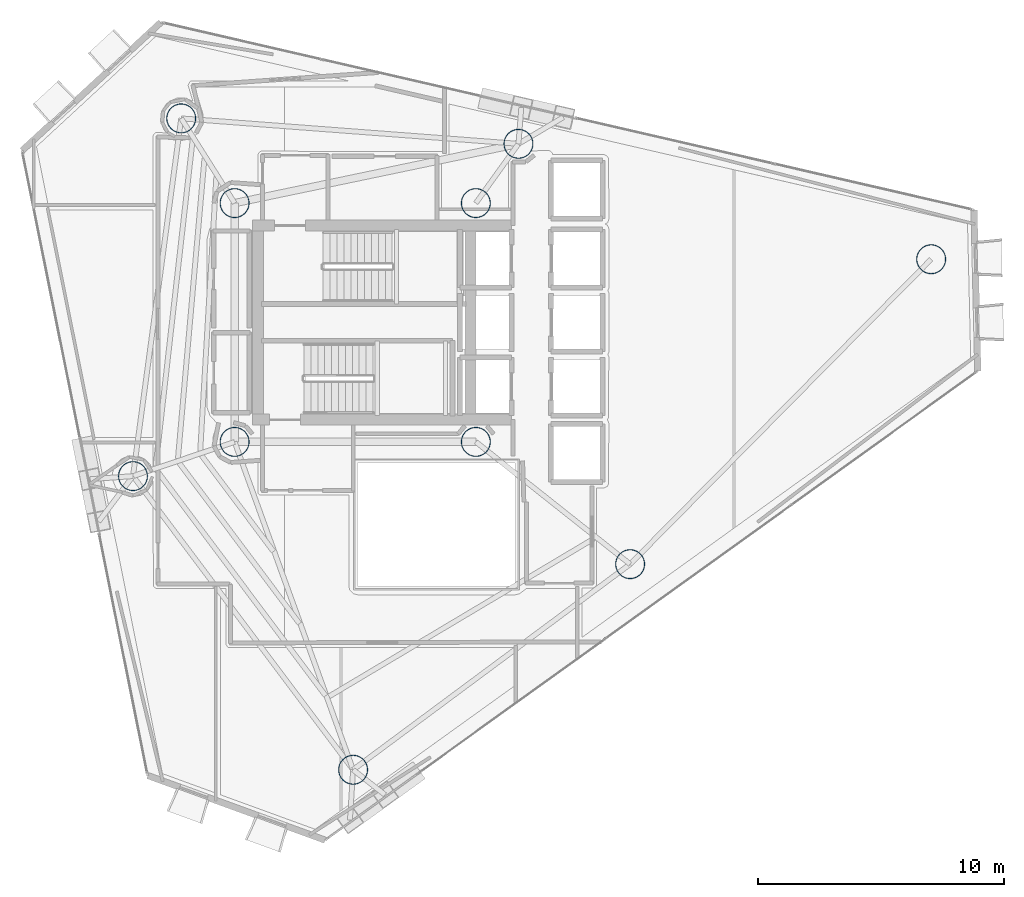
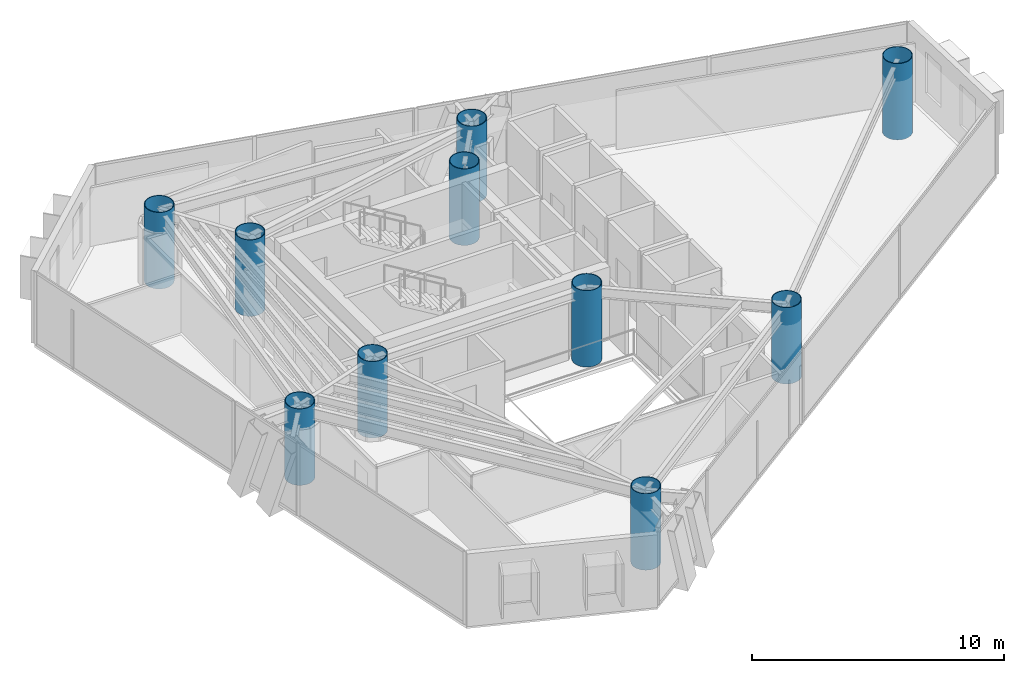
# One storey, part 1 of 22: 10 columns.
"""IFC4 building model written with IfcOpenShell, lengths in metres."""

from ifc_helpers import new_model, si_unit, direction, frame, origin, origin_2d, place, context, subcontext, project, spatial, hollow_circle, extrude, material, material_profile, profile_set, type_object, element, save


model = new_model("IFC4")

# Units and contexts
model_context = context("Model", 3, precision=1e-05, world=origin(), true_north=direction((0.0, 1.0)))
body_context = subcontext(model_context, "Body", "Model", "MODEL_VIEW")
ifc_project = project(units=[si_unit("LENGTHUNIT", "METRE"), si_unit("AREAUNIT", "SQUARE_METRE"), si_unit("VOLUMEUNIT", "CUBIC_METRE"), si_unit("PLANEANGLEUNIT", "RADIAN"), si_unit("MASSUNIT", "GRAM", prefix="KILO")], contexts=[model_context])

# Site, building, storey
site_placement = place(None, origin())
site = spatial("IfcSite", under=ifc_project, at=site_placement, CompositionType="ELEMENT")
building_placement = place(site_placement, origin())
building = spatial("IfcBuilding", under=site, at=building_placement, Name="Qianvela Tower", CompositionType="ELEMENT")
storey_placement = place(building_placement, frame((0.0, 0.0, 200.300048828125)))
storey = spatial("IfcBuildingStorey", under=building, at=storey_placement, Name="L51", CompositionType="ELEMENT", Elevation=200.300048828125)

# Columns
ifc_material = material(Name="Steel Q420GJC", Category="steel")
ifc_material_profile = material_profile(ifc_material, hollow_circle(Radius=0.60009765625, WallThickness=0.030029296875, at=origin_2d()), Name="CFT-1200x30")
ifc_profile_set = profile_set([ifc_material_profile], Name="Steel Q420GJC")
column_type = type_object("IfcColumnType", Name="COL-CFT-1200x30", PredefinedType="COLUMN", material=ifc_profile_set)
for number, where, z_axis, x_axis, name in (
    (1, (28.60009765625, 33.550048828125, 0.0), (0.0, 0.0, 1.0), (1.0, 0.0, 0.0), "L51 Core Corner Mega-Column CC-NW"),
    (2, (28.60009765625, 23.85009765625, 0.0), (0.0, 0.0, 1.0), (1.0, 0.0, 0.0), "L51 Core Corner Mega-Column CC-SW"),
    (3, (38.39990234375, 33.550048828125, 0.0), (0.0, 0.0, 1.0), (1.0, 0.0, 0.0), "L51 Core Corner Mega-Column CC-NE"),
    (4, (38.39990234375, 23.85009765625, 0.0), (0.0, 0.0, 1.0), (1.0, 0.0, 0.0), "L51 Core Corner Mega-Column CC-SE"),
    (5, (56.89697265625, 31.27001953125, 0.0), (0.0, 0.0, 1.0), (1.0, 0.0, 0.0), "L51 Zone Z5 CFT Mega-Column C1"),
    (6, (40.131103515625, 35.9580078125, 0.0), (0.0, 0.0, 1.0), (1.0, 0.0, 0.0), "L51 Zone Z5 CFT Mega-Column C2"),
    (7, (26.430908203125, 36.991943359375, 0.0), (0.0, 0.0, 1.0), (1.0, 0.0, 0.0), "L51 Zone Z5 CFT Mega-Column C3"),
    (8, (24.471923828125, 22.4599609375, 0.0), (0.0, 0.0, 1.0), (1.0, 0.0, 0.0), "L51 Zone Z5 CFT Mega-Column C4"),
    (9, (33.4130859375, 10.531005859375, 0.0), (0.0, 0.0, 1.0), (1.0, 0.0, 0.0), "L51 Zone Z5 CFT Mega-Column C5"),
    (10, (44.6669921875, 18.883056640625, 0.0), (0.0, 0.0, 1.0), (1.0, 0.0, 0.0), "L51 Zone Z5 CFT Mega-Column C6"),
):
    element("IfcColumn", number, at=place(storey_placement, frame(where, z_axis=z_axis, x_axis=x_axis)), inside=storey, type_object=column_type, Name=name, PredefinedType="COLUMN", context=body_context, shape_type="SweptSolid", body=[
        extrude(hollow_circle(Radius=0.60009765625, WallThickness=0.030029296875, at=origin_2d()), origin(), (0.0, 0.0, 1.0), 3.699951171875),
    ])

save(model, "model.ifc")
